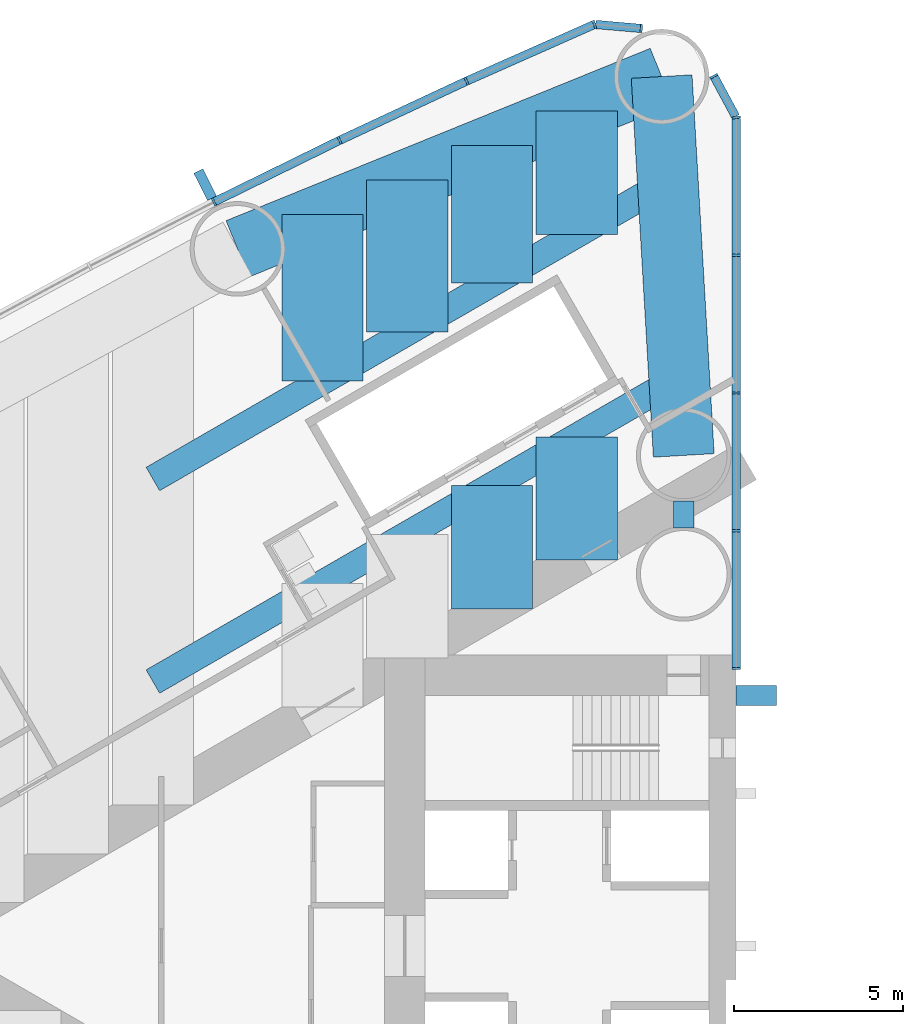
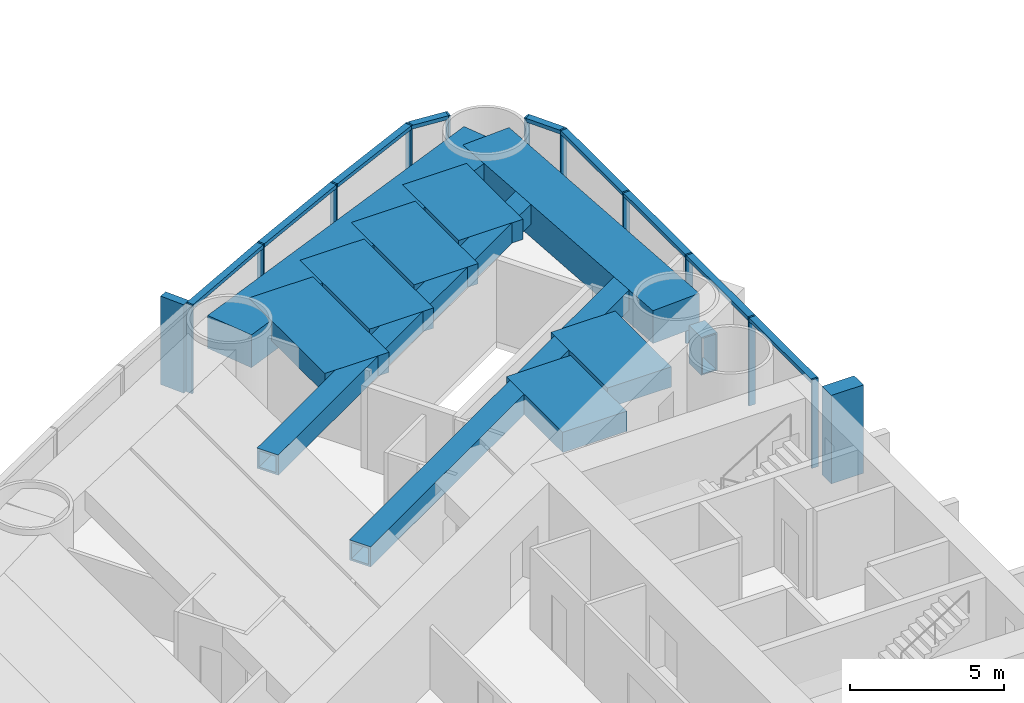
# One storey, part 5 of 19: 22 members, 11 beams, 2 elements without a shape of their own.
"""IFC4 building model written with IfcOpenShell, lengths in metres."""

from ifc_helpers import new_model, si_unit, direction, frame, origin, origin_2d, place, context, subcontext, project, spatial, rectangle, hollow_rectangle, extrude, material, material_profile, profile_set, type_object, element, aggregate, save


model = new_model("IFC4")

# Units and contexts
model_context = context("Model", 3, precision=1e-05, world=origin(), true_north=direction((0.0, 1.0)))
body_context = subcontext(model_context, "Body", "Model", "MODEL_VIEW")
ifc_project = project(units=[si_unit("LENGTHUNIT", "METRE"), si_unit("AREAUNIT", "SQUARE_METRE"), si_unit("VOLUMEUNIT", "CUBIC_METRE"), si_unit("PLANEANGLEUNIT", "RADIAN"), si_unit("MASSUNIT", "GRAM", prefix="KILO")], contexts=[model_context])

# Site, building, storey
site_placement = place(None, origin())
site = spatial("IfcSite", under=ifc_project, at=site_placement, CompositionType="ELEMENT")
building_placement = place(site_placement, origin())
building = spatial("IfcBuilding", under=site, at=building_placement, Name="Lancet Gate Hotel", CompositionType="ELEMENT")
storey_placement = place(building_placement, frame((0.0, 0.0, 39.0)))
storey = spatial("IfcBuildingStorey", under=building, at=storey_placement, Name="L09", CompositionType="ELEMENT", Elevation=39.0)

# Curtain wall, members
ifc_material_1 = material(Name="Aluminium curtain wall", Category="aluminium")
curtain_wall_type = type_object("IfcCurtainWallType", Name="Tower unitised curtain wall", PredefinedType="USERDEFINED", material=ifc_material_1)
curtain_wall_1_placement = place(storey_placement, origin())
curtain_wall_1 = element("IfcCurtainWall", 1, at=curtain_wall_1_placement, inside=storey, type_object=curtain_wall_type, Name="T1 L09 curtain wall 1", ObjectType="UNITISED CURTAIN WALL", PredefinedType="USERDEFINED")
ifc_material_2 = material(Name="Aluminium mullion", Category="aluminium")
ifc_material_profile_1 = material_profile(ifc_material_2, rectangle(XDim=0.06494140625, YDim=0.25, at=origin_2d()), Name="MULLION 65x250")
ifc_profile_set_1 = profile_set([ifc_material_profile_1], Name="Aluminium mullion")
member_type_1 = type_object("IfcMemberType", Name="Aluminium mullion 65x250", PredefinedType="MULLION", material=ifc_profile_set_1)
member_1_placement = place(storey_placement, frame((-27.5, 8.199951171875, 0.0), z_axis=(0.0, 0.0, 1.0), x_axis=(0.0, 1.0, 0.0)))
member_1 = element("IfcMember", 2, at=member_1_placement, type_object=member_type_1, Name="T1 L09 curtain wall 1 mullion 1", PredefinedType="MULLION", context=body_context, shape_type="SweptSolid", body=[
    extrude(rectangle(XDim=0.06494140625, YDim=0.25, at=origin_2d()), origin(), (0.0, 0.0, 1.0), 3.5),
])
member_2_placement = place(storey_placement, frame((-27.5, 12.272705078125, 0.0), z_axis=(0.0, 0.0, 1.0), x_axis=(0.0, 1.0, 0.0)))
member_2 = element("IfcMember", 3, at=member_2_placement, type_object=member_type_1, Name="T1 L09 curtain wall 1 mullion 2", PredefinedType="MULLION", context=body_context, shape_type="SweptSolid", body=[
    extrude(rectangle(XDim=0.06494140625, YDim=0.25, at=origin_2d()), origin(), (0.0, 0.0, 1.0), 3.5),
])
member_3_placement = place(storey_placement, frame((-27.5, 16.345703125, 0.0), z_axis=(0.0, 0.0, 1.0), x_axis=(0.0, 1.0, 0.0)))
member_3 = element("IfcMember", 4, at=member_3_placement, type_object=member_type_1, Name="T1 L09 curtain wall 1 mullion 3", PredefinedType="MULLION", context=body_context, shape_type="SweptSolid", body=[
    extrude(rectangle(XDim=0.06494140625, YDim=0.25, at=origin_2d()), origin(), (0.0, 0.0, 1.0), 3.5),
])
member_4_placement = place(storey_placement, frame((-27.5, 20.41845703125, 0.0), z_axis=(0.0, 0.0, 1.0), x_axis=(0.0, 1.0, 0.0)))
member_4 = element("IfcMember", 5, at=member_4_placement, type_object=member_type_1, Name="T1 L09 curtain wall 1 mullion 4", PredefinedType="MULLION", context=body_context, shape_type="SweptSolid", body=[
    extrude(rectangle(XDim=0.06494140625, YDim=0.25, at=origin_2d()), origin(), (0.0, 0.0, 1.0), 3.5),
])
member_5_placement = place(storey_placement, frame((-27.5, 24.4912109375, 0.0), z_axis=(0.0, 0.0, 1.0), x_axis=(-0.123482502544, 0.992346749662, 0.0)))
member_5 = element("IfcMember", 6, at=member_5_placement, type_object=member_type_1, Name="T1 L09 curtain wall 1 mullion 5", PredefinedType="MULLION", context=body_context, shape_type="SweptSolid", body=[
    extrude(rectangle(XDim=0.06494140625, YDim=0.25, at=origin_2d()), origin(), (0.0, 0.0, 1.0), 3.5),
])
member_6_placement = place(storey_placement, frame((-28.158935546875, 25.712890625, 0.0), z_axis=(0.0, 0.0, 1.0), x_axis=(-0.474631040972, 0.880184852714, 0.0)))
member_6 = element("IfcMember", 7, at=member_6_placement, type_object=member_type_1, Name="T1 L09 curtain wall 1 mullion 6", PredefinedType="MULLION", context=body_context, shape_type="SweptSolid", body=[
    extrude(rectangle(XDim=0.06494140625, YDim=0.25, at=origin_2d()), origin(), (0.0, 0.0, 1.0), 3.5),
])

curtain_wall_2_placement = place(storey_placement, origin())
curtain_wall_2 = element("IfcCurtainWall", 8, at=curtain_wall_2_placement, inside=storey, type_object=curtain_wall_type, Name="T1 L09 curtain wall 2", ObjectType="UNITISED CURTAIN WALL", PredefinedType="USERDEFINED")
member_7_placement = place(storey_placement, frame((-30.3046875, 27.124755859375, 0.0), z_axis=(0.0, 0.0, 1.0), x_axis=(-0.99620380374, 0.087051602022, 0.0)))
member_7 = element("IfcMember", 9, at=member_7_placement, type_object=member_type_1, Name="T1 L09 curtain wall 2 mullion 1", PredefinedType="MULLION", context=body_context, shape_type="SweptSolid", body=[
    extrude(rectangle(XDim=0.06494140625, YDim=0.25, at=origin_2d()), origin(), (0.0, 0.0, 1.0), 3.5),
])
member_8_placement = place(storey_placement, frame((-31.688720703125, 27.24560546875, 0.0), z_axis=(0.0, 0.0, 1.0), x_axis=(-0.957524354695, -0.288352406209, 0.0)))
member_8 = element("IfcMember", 10, at=member_8_placement, type_object=member_type_1, Name="T1 L09 curtain wall 2 mullion 2", PredefinedType="MULLION", context=body_context, shape_type="SweptSolid", body=[
    extrude(rectangle(XDim=0.06494140625, YDim=0.25, at=origin_2d()), origin(), (0.0, 0.0, 1.0), 3.5),
])
member_9_placement = place(storey_placement, frame((-35.473876953125, 25.568115234375, 0.0), z_axis=(0.0, 0.0, 1.0), x_axis=(-0.910219680212, -0.414125746308, 0.0)))
member_9 = element("IfcMember", 11, at=member_9_placement, type_object=member_type_1, Name="T1 L09 curtain wall 2 mullion 3", PredefinedType="MULLION", context=body_context, shape_type="SweptSolid", body=[
    extrude(rectangle(XDim=0.06494140625, YDim=0.25, at=origin_2d()), origin(), (0.0, 0.0, 1.0), 3.5),
])
member_10_placement = place(storey_placement, frame((-39.225341796875, 23.816650390625, 0.0), z_axis=(0.0, 0.0, 1.0), x_axis=(-0.901928838337, -0.431884672772, 0.0)))
member_10 = element("IfcMember", 12, at=member_10_placement, type_object=member_type_1, Name="T1 L09 curtain wall 2 mullion 4", PredefinedType="MULLION", context=body_context, shape_type="SweptSolid", body=[
    extrude(rectangle(XDim=0.06494140625, YDim=0.25, at=origin_2d()), origin(), (0.0, 0.0, 1.0), 3.5),
])
member_11_placement = place(storey_placement, frame((-42.94189453125, 21.991943359375, 0.0), z_axis=(0.0, 0.0, 1.0), x_axis=(-0.893291549794, -0.449477704748, 0.0)))
member_11 = element("IfcMember", 13, at=member_11_placement, type_object=member_type_1, Name="T1 L09 curtain wall 2 mullion 5", PredefinedType="MULLION", context=body_context, shape_type="SweptSolid", body=[
    extrude(rectangle(XDim=0.06494140625, YDim=0.25, at=origin_2d()), origin(), (0.0, 0.0, 1.0), 3.5),
])

# Member
ifc_material_3 = material(Name="Aluminium transom", Category="aluminium")
ifc_material_profile_2 = material_profile(ifc_material_3, rectangle(XDim=0.25, YDim=0.14990234375, at=origin_2d()), Name="TRANSOM 250x150")
ifc_profile_set_2 = profile_set([ifc_material_profile_2], Name="Aluminium transom")
member_type_2 = type_object("IfcMemberType", Name="Aluminium transom 250x150", PredefinedType="USERDEFINED", material=ifc_profile_set_2)
member_12_placement = place(storey_placement, frame((-27.5, 8.232421875, 3.425048828125), z_axis=(0.0, 1.0, 0.0), x_axis=(-1.0, 0.0, 0.0)))
member_12 = element("IfcMember", 14, at=member_12_placement, type_object=member_type_2, Name="T1 L09 curtain wall 1 transom 1", ObjectType="TRANSOM", PredefinedType="USERDEFINED", context=body_context, shape_type="SweptSolid", body=[
    extrude(rectangle(XDim=0.25, YDim=0.14990234375, at=origin_2d()), origin(), (0.0, 0.0, 1.0), 4.0078125),
])

member_13_placement = place(storey_placement, frame((-27.5, 12.30517578125, 3.425048828125), z_axis=(0.0, 1.0, 0.0), x_axis=(-1.0, 0.0, 0.0)))
member_13 = element("IfcMember", 15, at=member_13_placement, type_object=member_type_2, Name="T1 L09 curtain wall 1 transom 2", ObjectType="TRANSOM", PredefinedType="USERDEFINED", context=body_context, shape_type="SweptSolid", body=[
    extrude(rectangle(XDim=0.25, YDim=0.14990234375, at=origin_2d()), origin(), (0.0, 0.0, 1.0), 4.0078125),
])

member_14_placement = place(storey_placement, frame((-27.5, 16.378173828125, 3.425048828125), z_axis=(0.0, 1.0, 0.0), x_axis=(-1.0, 0.0, 0.0)))
member_14 = element("IfcMember", 16, at=member_14_placement, type_object=member_type_2, Name="T1 L09 curtain wall 1 transom 3", ObjectType="TRANSOM", PredefinedType="USERDEFINED", context=body_context, shape_type="SweptSolid", body=[
    extrude(rectangle(XDim=0.25, YDim=0.14990234375, at=origin_2d()), origin(), (0.0, 0.0, 1.0), 4.0078125),
])

member_15_placement = place(storey_placement, frame((-27.5, 20.450927734375, 3.425048828125), z_axis=(0.0, 1.0, 0.0), x_axis=(-1.0, 0.0, 0.0)))
member_15 = element("IfcMember", 17, at=member_15_placement, type_object=member_type_2, Name="T1 L09 curtain wall 1 transom 4", ObjectType="TRANSOM", PredefinedType="USERDEFINED", context=body_context, shape_type="SweptSolid", body=[
    extrude(rectangle(XDim=0.25, YDim=0.14990234375, at=origin_2d()), origin(), (0.0, 0.0, 1.0), 4.0078125),
])

member_16_placement = place(storey_placement, frame((-27.515380859375, 24.519775390625, 3.425048828125), z_axis=(-0.474605926905, 0.880198394765, 0.0), x_axis=(-0.880198394765, -0.474605926905, 0.0)))
member_16 = element("IfcMember", 18, at=member_16_placement, type_object=member_type_2, Name="T1 L09 curtain wall 1 transom 5", ObjectType="TRANSOM", PredefinedType="USERDEFINED", context=body_context, shape_type="SweptSolid", body=[
    extrude(rectangle(XDim=0.25, YDim=0.14990234375, at=origin_2d()), origin(), (0.0, 0.0, 1.0), 1.322998046875),
])

aggregate(curtain_wall_1, [member_1, member_2, member_3, member_4, member_5, member_6, member_12, member_13, member_14, member_15, member_16])

member_17_placement = place(storey_placement, frame((-30.337158203125, 27.127685546875, 3.425048828125), z_axis=(-0.99620591587, 0.087027427779, 0.0), x_axis=(-0.087027427779, -0.99620591587, 0.0)))
member_17 = element("IfcMember", 19, at=member_17_placement, type_object=member_type_2, Name="T1 L09 curtain wall 2 transom 1", ObjectType="TRANSOM", PredefinedType="USERDEFINED", context=body_context, shape_type="SweptSolid", body=[
    extrude(rectangle(XDim=0.25, YDim=0.14990234375, at=origin_2d()), origin(), (0.0, 0.0, 1.0), 1.32421875),
])

member_18_placement = place(storey_placement, frame((-31.71826171875, 27.232421875, 3.425048828125), z_axis=(-0.914248281954, -0.405154389022, 0.0), x_axis=(0.405154389022, -0.914248281954, 0.0)))
member_18 = element("IfcMember", 20, at=member_18_placement, type_object=member_type_2, Name="T1 L09 curtain wall 2 transom 2", ObjectType="TRANSOM", PredefinedType="USERDEFINED", context=body_context, shape_type="SweptSolid", body=[
    extrude(rectangle(XDim=0.25, YDim=0.14990234375, at=origin_2d()), origin(), (0.0, 0.0, 1.0), 4.0751953125),
])

member_19_placement = place(storey_placement, frame((-35.503173828125, 25.554443359375, 3.425048828125), z_axis=(-0.906109667261, -0.423042871228, 0.0), x_axis=(0.423042871228, -0.906109667261, 0.0)))
member_19 = element("IfcMember", 21, at=member_19_placement, type_object=member_type_2, Name="T1 L09 curtain wall 2 transom 3", ObjectType="TRANSOM", PredefinedType="USERDEFINED", context=body_context, shape_type="SweptSolid", body=[
    extrude(rectangle(XDim=0.25, YDim=0.14990234375, at=origin_2d()), origin(), (0.0, 0.0, 1.0), 4.075439453125),
])

member_20_placement = place(storey_placement, frame((-39.254638671875, 23.80224609375, 3.425048828125), z_axis=(-0.897662439958, -0.440683723194, 0.0), x_axis=(0.440683723194, -0.897662439958, 0.0)))
member_20 = element("IfcMember", 22, at=member_20_placement, type_object=member_type_2, Name="T1 L09 curtain wall 2 transom 4", ObjectType="TRANSOM", PredefinedType="USERDEFINED", context=body_context, shape_type="SweptSolid", body=[
    extrude(rectangle(XDim=0.25, YDim=0.14990234375, at=origin_2d()), origin(), (0.0, 0.0, 1.0), 4.0751953125),
])

# Beams
ifc_material_4 = material(Name="Concrete C50/60", Category="concrete")
ifc_material_profile_3 = material_profile(ifc_material_4, rectangle(XDim=1.800048828125, YDim=1.300048828125, at=origin_2d()), Name="RC 1800x1300")
ifc_profile_set_3 = profile_set([ifc_material_profile_3], Name="Concrete C50/60")
beam_type_1 = type_object("IfcBeamType", Name="Edge beam RC 1800x1300", PredefinedType="SPANDREL", material=ifc_profile_set_3)
beam_1_placement = place(storey_placement, frame((-29.703369140625, 25.70263671875, 2.60009765625), z_axis=(-0.926463236197, -0.376385270667, 0.0), x_axis=(0.376385270667, -0.926463236197, 0.0)))
element("IfcBeam", 23, at=beam_1_placement, inside=storey, type_object=beam_type_1, Name="T1 edge beam EB1 L09", PredefinedType="SPANDREL", context=body_context, shape_type="SweptSolid", body=[
    extrude(rectangle(XDim=1.800048828125, YDim=1.300048828125, at=origin_2d()), origin(), (0.0, 0.0, 1.0), 13.537353515625),
])
beam_2_placement = place(storey_placement, frame((-29.703369140625, 25.70263671875, 2.60009765625), z_axis=(0.058219521912, -0.998303805096, 0.0), x_axis=(0.998303805096, 0.058219521912, 0.0)))
element("IfcBeam", 24, at=beam_2_placement, inside=storey, type_object=beam_type_1, Name="T1 edge beam EB1 L09", PredefinedType="SPANDREL", context=body_context, shape_type="SweptSolid", body=[
    extrude(rectangle(XDim=1.800048828125, YDim=1.300048828125, at=origin_2d()), origin(), (0.0, 0.0, 1.0), 11.2216796875),
])

# Member
ifc_material_5 = material(Name="Concrete C60/75", Category="concrete")
ifc_material_profile_4 = material_profile(ifc_material_5, rectangle(XDim=0.60009765625, YDim=1.199951171875, at=origin_2d()), Name="FIN 600x1200")
ifc_profile_set_4 = profile_set([ifc_material_profile_4], Name="Concrete C60/75")
member_type_3 = type_object("IfcMemberType", Name="Exposed concrete buttress pilaster 600x1200", PredefinedType="USERDEFINED", material=ifc_profile_set_4)
member_21_placement = place(storey_placement, frame((-26.909912109375, 7.39990234375, 0.0), z_axis=(0.0, 0.0, 1.0), x_axis=(0.0, 1.0, 0.0)))
element("IfcMember", 25, at=member_21_placement, inside=storey, type_object=member_type_3, Name="T1 buttress pilaster S L09", ObjectType="FIN", PredefinedType="USERDEFINED", context=body_context, shape_type="SweptSolid", body=[
    extrude(rectangle(XDim=0.60009765625, YDim=1.199951171875, at=origin_2d()), origin(), (0.0, 0.0, 1.0), 3.5),
])

ifc_material_6 = material(Name="Precast concrete C50/60", Category="concrete")
ifc_material_profile_5 = material_profile(ifc_material_6, rectangle(XDim=0.300048828125, YDim=0.89990234375, at=origin_2d()), Name="FIN 300x900")
ifc_profile_set_5 = profile_set([ifc_material_profile_5], Name="Precast concrete C50/60")
member_type_4 = type_object("IfcMemberType", Name="Exposed concrete fin 300x900", PredefinedType="USERDEFINED", material=ifc_profile_set_5)
member_22_placement = place(storey_placement, frame((-43.200439453125, 22.505615234375, 0.0), z_axis=(0.0, 0.0, 1.0), x_axis=(-0.893291549794, -0.449477704748, 0.0)))
member_22 = element("IfcMember", 26, at=member_22_placement, type_object=member_type_4, Name="T1 L09 curtain wall 2 fin 5", ObjectType="FIN", PredefinedType="USERDEFINED", context=body_context, shape_type="SweptSolid", body=[
    extrude(rectangle(XDim=0.300048828125, YDim=0.89990234375, at=origin_2d()), origin(), (0.0, 0.0, 1.0), 3.5),
])

aggregate(curtain_wall_2, [member_7, member_8, member_9, member_10, member_11, member_22, member_17, member_18, member_19, member_20])

# Beams
ifc_material_7 = material(Name="Concrete C50/60", Category="concrete")
ifc_material_profile_6 = material_profile(ifc_material_7, rectangle(XDim=2.39990234375, YDim=0.800048828125, at=origin_2d()), Name="RC 2400x800")
ifc_profile_set_6 = profile_set([ifc_material_profile_6], Name="Concrete C50/60")
beam_type_2 = type_object("IfcBeamType", Name="Floor beam RC 2400x800", PredefinedType="BEAM", material=ifc_profile_set_6)
beam_3_placement = place(storey_placement, frame((-32.213623046875, 24.682861328125, 2.85009765625), z_axis=(0.0, -1.0, 0.0), x_axis=(1.0, 0.0, 0.0)))
element("IfcBeam", 27, at=beam_3_placement, inside=storey, type_object=beam_type_2, Name="T1 floor beam F02SA L09", PredefinedType="BEAM", context=body_context, shape_type="SweptSolid", body=[
    extrude(rectangle(XDim=2.39990234375, YDim=0.800048828125, at=origin_2d()), origin(), (0.0, 0.0, 1.0), 3.643798828125),
])
beam_4_placement = place(storey_placement, frame((-32.213623046875, 15.051025390625, 2.85009765625), z_axis=(0.0, -1.0, 0.0), x_axis=(1.0, 0.0, 0.0)))
element("IfcBeam", 28, at=beam_4_placement, inside=storey, type_object=beam_type_2, Name="T1 floor beam F02SB L09", PredefinedType="BEAM", context=body_context, shape_type="SweptSolid", body=[
    extrude(rectangle(XDim=2.39990234375, YDim=0.800048828125, at=origin_2d()), origin(), (0.0, 0.0, 1.0), 3.645751953125),
])
beam_5_placement = place(storey_placement, frame((-34.720458984375, 23.664306640625, 2.85009765625), z_axis=(0.0, -1.0, 0.0), x_axis=(1.0, 0.0, 0.0)))
element("IfcBeam", 29, at=beam_5_placement, inside=storey, type_object=beam_type_2, Name="T1 floor beam F04SA L09", PredefinedType="BEAM", context=body_context, shape_type="SweptSolid", body=[
    extrude(rectangle(XDim=2.39990234375, YDim=0.800048828125, at=origin_2d()), origin(), (0.0, 0.0, 1.0), 4.07275390625),
])
beam_6_placement = place(storey_placement, frame((-34.720458984375, 13.603759765625, 2.85009765625), z_axis=(0.0, -1.0, 0.0), x_axis=(1.0, 0.0, 0.0)))
element("IfcBeam", 30, at=beam_6_placement, inside=storey, type_object=beam_type_2, Name="T1 floor beam F04SB L09", PredefinedType="BEAM", context=body_context, shape_type="SweptSolid", body=[
    extrude(rectangle(XDim=2.39990234375, YDim=0.800048828125, at=origin_2d()), origin(), (0.0, 0.0, 1.0), 3.645751953125),
])
beam_7_placement = place(storey_placement, frame((-37.227294921875, 22.64599609375, 2.85009765625), z_axis=(0.0, -1.0, 0.0), x_axis=(1.0, 0.0, 0.0)))
element("IfcBeam", 31, at=beam_7_placement, inside=storey, type_object=beam_type_2, Name="T1 floor beam F05SA L09", PredefinedType="BEAM", context=body_context, shape_type="SweptSolid", body=[
    extrude(rectangle(XDim=2.39990234375, YDim=0.800048828125, at=origin_2d()), origin(), (0.0, 0.0, 1.0), 4.501953125),
])
beam_8_placement = place(storey_placement, frame((-39.734130859375, 21.627685546875, 2.85009765625), z_axis=(0.0, -1.0, 0.0), x_axis=(1.0, 0.0, 0.0)))
element("IfcBeam", 32, at=beam_8_placement, inside=storey, type_object=beam_type_2, Name="T1 floor beam F07SA L09", PredefinedType="BEAM", context=body_context, shape_type="SweptSolid", body=[
    extrude(rectangle(XDim=2.39990234375, YDim=0.800048828125, at=origin_2d()), origin(), (0.0, 0.0, 1.0), 4.93115234375),
])
ifc_material_8 = material(Name="Steel S460QL", Category="steel")
ifc_material_profile_7 = material_profile(ifc_material_8, hollow_rectangle(XDim=0.60009765625, YDim=1.5, WallThickness=0.050048828125, at=origin_2d()), Name="BOX 1500x600x50")
ifc_profile_set_7 = profile_set([ifc_material_profile_7], Name="Steel S460QL")
beam_type_3 = type_object("IfcBeamType", Name="Inner-face link beam BOX 1500x600x50", PredefinedType="BEAM", material=ifc_profile_set_7)
beam_9_placement = place(storey_placement, frame((-29.050048828125, 13.14990234375, 2.5), z_axis=(0.0, -1.0, 0.0), x_axis=(1.0, 0.0, 0.0)))
element("IfcBeam", 33, at=beam_9_placement, inside=storey, type_object=beam_type_3, Name="T1 inner-face link beam LK1 L09", PredefinedType="BEAM", context=body_context, shape_type="SweptSolid", body=[
    extrude(hollow_rectangle(XDim=0.60009765625, YDim=1.5, WallThickness=0.050048828125, at=origin_2d()), origin(), (0.0, 0.0, 1.0), 0.7998046875),
])
ifc_material_9 = material(Name="Steel S460QL", Category="steel")
ifc_material_profile_8 = material_profile(ifc_material_9, hollow_rectangle(XDim=0.800048828125, YDim=0.800048828125, WallThickness=0.080078125, at=origin_2d()), Name="BOX 800x800x80")
ifc_profile_set_8 = profile_set([ifc_material_profile_8], Name="Steel S460QL")
beam_type_4 = type_object("IfcBeamType", Name="Trimmer beam BOX 800x800x80", PredefinedType="BEAM", material=ifc_profile_set_8)
beam_10_placement = place(storey_placement, frame((-29.18408203125, 16.800537109375, 2.85009765625), z_axis=(-0.865998945969, -0.500045823481, 0.0), x_axis=(0.500045823481, -0.865998945969, 0.0)))
element("IfcBeam", 34, at=beam_10_placement, inside=storey, type_object=beam_type_4, Name="T1 trimmer beam TR01S L09", PredefinedType="BEAM", context=body_context, shape_type="SweptSolid", body=[
    extrude(hollow_rectangle(XDim=0.800048828125, YDim=0.800048828125, WallThickness=0.080078125, at=origin_2d()), origin(), (0.0, 0.0, 1.0), 17.971923828125),
])
beam_11_placement = place(storey_placement, frame((-29.52197265625, 22.59326171875, 2.85009765625), z_axis=(-0.866004054636, -0.500036975987, 0.0), x_axis=(0.500036975987, -0.866004054636, 0.0)))
element("IfcBeam", 35, at=beam_11_placement, inside=storey, type_object=beam_type_4, Name="T1 trimmer beam TR02S L09", PredefinedType="BEAM", context=body_context, shape_type="SweptSolid", body=[
    extrude(hollow_rectangle(XDim=0.800048828125, YDim=0.800048828125, WallThickness=0.080078125, at=origin_2d()), origin(), (0.0, 0.0, 1.0), 17.581787109375),
])

save(model, "model.ifc")
